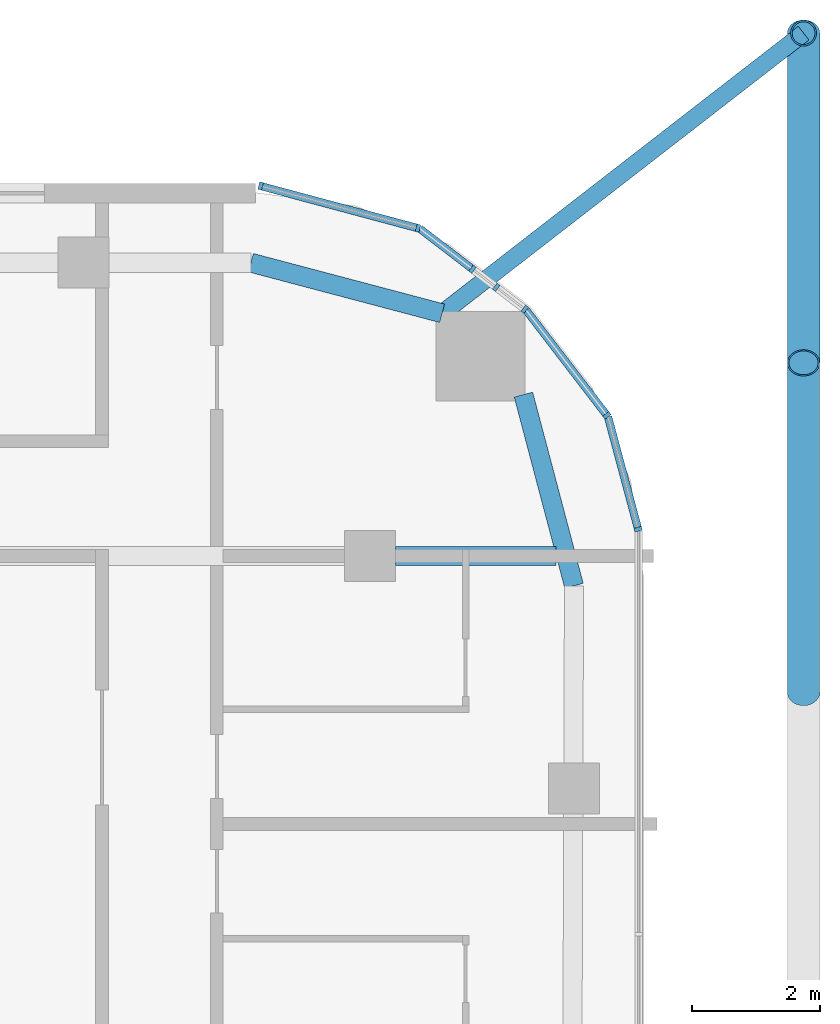
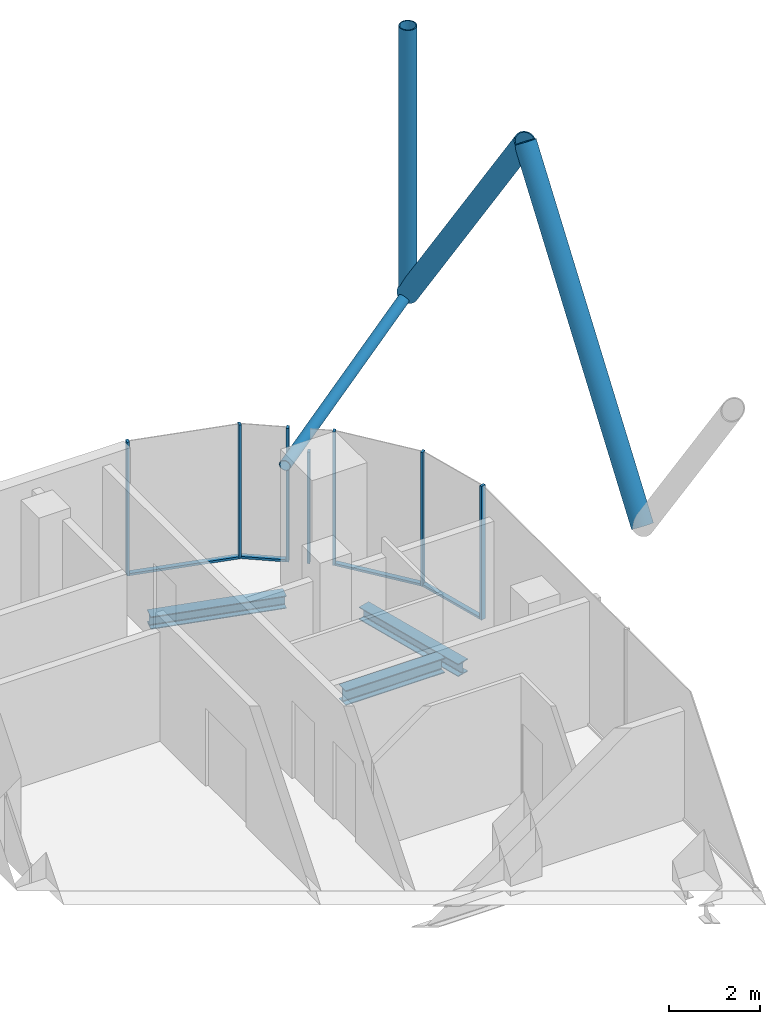
# One storey, part 11 of 28: 15 members, 3 beams, 6 elements without a shape of their own.
"""IFC4 building model written with IfcOpenShell, lengths in metres."""

import ifcopenshell
import ifcopenshell.guid

model = None  # the IFC model being written
_history = None  # IfcOwnerHistory: only IFC2X3 demands one
_inside = {}  # id of a spatial element -> (the spatial element, [elements in it])
_under = {}  # id of a project, library or spatial element -> (it, [spatial elements below it])
_declared = {}  # id of a project -> (the project, [libraries it declares])
_typed = {}  # id of a type object -> (the type object, [elements of that type])
_made_of = {}  # id of a material, layer set ... -> (it, [elements and type objects made of it])


def new_model(schema):
    """Start an empty IFC model of exactly this schema.

    Asked for "IFC4X3", IfcOpenShell would pick the latest addendum, in which some entities
    have other attributes; the version numbers below select the first issue.
    IFC2X3 requires an IfcOwnerHistory on every rooted entity: one is made here for all.
    """
    global model, _history
    if schema == "IFC4X3":
        model = ifcopenshell.file(schema_version=(4, 3, 0, 0))
    else:
        model = ifcopenshell.file(schema=schema)
    _inside.clear()
    _under.clear()
    _declared.clear()
    _typed.clear()
    _made_of.clear()
    _history = None
    if model.schema == "IFC2X3":
        org = make("IfcOrganization", Name="unknown")
        user = make(
            "IfcPersonAndOrganization",
            ThePerson=make("IfcPerson", FamilyName="unknown"),
            TheOrganization=org,
        )
        app = make(
            "IfcApplication",
            ApplicationDeveloper=org,
            Version="unknown",
            ApplicationFullName="unknown",
            ApplicationIdentifier="unknown",
        )
        _history = make(
            "IfcOwnerHistory",
            OwningUser=user,
            OwningApplication=app,
            ChangeAction="ADDED",
            CreationDate=0,
        )
    return model


def make(cls, **values):
    """One entity of the class cls with the attributes given. An attribute that is None is left unset."""
    return model.create_entity(
        cls, **{name: value for name, value in values.items() if value is not None}
    )


def rooted(cls, **values):
    """An entity with a GlobalId (a new one), such as an element, a storey or a relation."""
    return make(cls, GlobalId=ifcopenshell.guid.new(), OwnerHistory=_history, **values)


def si_unit(unit_type, name, prefix=None):
    """IfcSIUnit, for example si_unit("LENGTHUNIT", "METRE", prefix="MILLI")."""
    return make("IfcSIUnit", UnitType=unit_type, Prefix=prefix, Name=name)


def assignment(units):
    """IfcUnitAssignment: the units of a project."""
    return None if units is None else make("IfcUnitAssignment", Units=units)


def point(xyz):
    """IfcCartesianPoint."""
    return None if xyz is None else make("IfcCartesianPoint", Coordinates=xyz)


def direction(xyz):
    """IfcDirection."""
    return None if xyz is None else make("IfcDirection", DirectionRatios=xyz)


def frame(location, z_axis=None, x_axis=None):
    """IfcAxis2Placement3D, a coordinate frame: its origin and axes. An axis left out is left unset."""
    return make(
        "IfcAxis2Placement3D",
        Location=point(location),
        Axis=direction(z_axis),
        RefDirection=direction(x_axis),
    )


def frame_2d(location, x_axis=None):
    """IfcAxis2Placement2D, a coordinate frame in the plane: its origin and x axis."""
    return make(
        "IfcAxis2Placement2D", Location=point(location), RefDirection=direction(x_axis)
    )


def origin():
    """The frame at (0, 0, 0) with its axes left unset."""
    return frame((0.0, 0.0, 0.0))


def origin_2d():
    """The frame at (0, 0) in the plane with its x axis left unset."""
    return frame_2d((0.0, 0.0))


def place(relative_to, where):
    """IfcLocalPlacement: puts the frame where relative to a parent placement (None: the world)."""
    return make(
        "IfcLocalPlacement", PlacementRelTo=relative_to, RelativePlacement=where
    )


def context(
    kind, dimensions, precision=None, world=None, true_north=None, identifier=None
):
    """IfcGeometricRepresentationContext, for example the 3D "Model" context."""
    return make(
        "IfcGeometricRepresentationContext",
        ContextIdentifier=identifier,
        ContextType=kind,
        CoordinateSpaceDimension=dimensions,
        Precision=precision,
        WorldCoordinateSystem=world,
        TrueNorth=true_north,
    )


def subcontext(parent, identifier, kind, view, scale=None):
    """IfcGeometricRepresentationSubContext, for example "Body" below "Model"."""
    return make(
        "IfcGeometricRepresentationSubContext",
        ContextIdentifier=identifier,
        ContextType=kind,
        ParentContext=parent,
        TargetScale=scale,
        TargetView=view,
    )


def project(units=None, contexts=None):
    """IfcProject with its units and contexts."""
    return rooted(
        "IfcProject",
        Name="project",
        RepresentationContexts=contexts,
        UnitsInContext=assignment(units),
    )


def spatial(cls, under=None, at=None, **own):
    """A site, building, storey or space (cls), placed at a placement, below another one or the project."""
    s = rooted(cls, ObjectPlacement=at, **own)
    if under is not None:
        _under.setdefault(under.id(), (under, []))[1].append(s)
    return s


def profile(cls, at=None, kind="AREA", **sizes):
    """A parametric profile (cls). Its sizes go by their IFC names, for example OverallWidth=200.0."""
    return make(cls, ProfileType=kind, Position=at, **sizes)


def rectangle(**sizes):
    """IfcRectangleProfileDef."""
    return profile("IfcRectangleProfileDef", **sizes)


def hollow_circle(**sizes):
    """IfcCircleHollowProfileDef."""
    return profile("IfcCircleHollowProfileDef", **sizes)


def i_section(**sizes):
    """IfcIShapeProfileDef."""
    return profile("IfcIShapeProfileDef", **sizes)


def extrude(swept, where, along, depth):
    """IfcExtrudedAreaSolid: the profile swept, set in the frame where, extruded along a direction by depth."""
    return make(
        "IfcExtrudedAreaSolid",
        SweptArea=swept,
        Position=where,
        ExtrudedDirection=direction(along),
        Depth=depth,
    )


def shape(context_of_items, identifier, shape_type, items):
    """IfcShapeRepresentation: the items that make up one representation, for example the "Body"."""
    return make(
        "IfcShapeRepresentation",
        ContextOfItems=context_of_items,
        RepresentationIdentifier=identifier,
        RepresentationType=shape_type,
        Items=items,
    )


def material(Name=None, Category=None):
    """IfcMaterial."""
    return make("IfcMaterial", Name=Name, Category=Category)


def layer(
    of_material, thickness, ventilated=None, Name=None, Category=None, Priority=None
):
    """IfcMaterialLayer: one layer of a wall or slab, of a material (None: an air gap)."""
    return make(
        "IfcMaterialLayer",
        Material=of_material,
        LayerThickness=thickness,
        IsVentilated=ventilated,
        Name=Name,
        Category=Category,
        Priority=Priority,
    )


def layer_set(layers, Name=None):
    """IfcMaterialLayerSet."""
    return make("IfcMaterialLayerSet", MaterialLayers=layers, LayerSetName=Name)


def material_profile(
    of_material, cross_section, Name=None, Category=None, Priority=None
):
    """IfcMaterialProfile: a cross section and its material."""
    return make(
        "IfcMaterialProfile",
        Name=Name,
        Material=of_material,
        Profile=cross_section,
        Priority=Priority,
        Category=Category,
    )


def profile_set(profiles, Name=None, composite=None):
    """IfcMaterialProfileSet."""
    return make(
        "IfcMaterialProfileSet",
        Name=Name,
        MaterialProfiles=profiles,
        CompositeProfile=composite,
    )


def made_of(thing, what):
    """Note that an element or type object is made of a material, layer set ...; save() writes the relation."""
    if what is not None:
        _made_of.setdefault(what.id(), (what, []))[1].append(thing)
    return thing


def type_object(cls, material=None, **own):
    """A type object (cls), such as IfcWallType, which elements share."""
    return made_of(rooted(cls, **own), material)


def element(
    cls,
    number,
    at=None,
    inside=None,
    cuts=None,
    type_object=None,
    material=None,
    context=None,
    identifier="Body",
    shape_type=None,
    held_by="IfcProductDefinitionShape",
    body=None,
    shapes=None,
    **own,
):
    """One element of the class cls, such as IfcWall. Its Tag is "e" and its number.

    at: its placement. inside: the storey or other place that contains it. cuts: it is an
    opening in that element (IfcRelVoidsElement). A single representation is given by context,
    identifier, shape_type and body (its items); several are given by shapes. held_by: the class
    of the entity that holds the representations. save() writes the other relations.
    """
    e = rooted(cls, Tag="e%d" % number, ObjectPlacement=at, **own)
    if body is not None:
        shapes = [shape(context, identifier, shape_type, body)]
    if shapes is not None:
        e.Representation = make(held_by, Representations=shapes)
    if inside is not None:
        _inside.setdefault(inside.id(), (inside, []))[1].append(e)
    if cuts is not None:
        rooted(
            "IfcRelVoidsElement", RelatingBuildingElement=cuts, RelatedOpeningElement=e
        )
    if type_object is not None:
        _typed.setdefault(type_object.id(), (type_object, []))[1].append(e)
    return made_of(e, material)


def aggregate(whole, parts):
    """IfcRelAggregates: a whole, such as a stair, and the parts it consists of."""
    return rooted("IfcRelAggregates", RelatingObject=whole, RelatedObjects=parts)


def save(model, path):
    """Write the relations noted so far, then the file.

    IfcRelAggregates (storeys below a building ...), IfcRelContainedInSpatialStructure (elements
    in a storey), IfcRelDefinesByType, IfcRelAssociatesMaterial and IfcRelDeclares: one each for
    every whole, place, type object, material and project.
    """
    for whole, parts in _under.values():
        aggregate(whole, parts)
    for where, things in _inside.values():
        rooted(
            "IfcRelContainedInSpatialStructure",
            RelatedElements=things,
            RelatingStructure=where,
        )
    for kind, things in _typed.values():
        rooted("IfcRelDefinesByType", RelatedObjects=things, RelatingType=kind)
    for what, things in _made_of.values():
        rooted("IfcRelAssociatesMaterial", RelatedObjects=things, RelatingMaterial=what)
    for by, libraries in _declared.values():
        rooted("IfcRelDeclares", RelatingContext=by, RelatedDefinitions=libraries)
    model.write(path)


model = new_model("IFC4")

# Units and contexts
model_context = context("Model", 3, precision=1e-05, world=origin(), true_north=direction((0.0, 1.0)))
body_context = subcontext(model_context, "Body", "Model", "MODEL_VIEW")
ifc_project = project(units=[si_unit("LENGTHUNIT", "METRE"), si_unit("AREAUNIT", "SQUARE_METRE"), si_unit("VOLUMEUNIT", "CUBIC_METRE"), si_unit("PLANEANGLEUNIT", "RADIAN"), si_unit("MASSUNIT", "GRAM", prefix="KILO")], contexts=[model_context])

# Site, building, storey
site_placement = place(None, origin())
site = spatial("IfcSite", under=ifc_project, at=site_placement, CompositionType="ELEMENT")
building_placement = place(site_placement, origin())
building = spatial("IfcBuilding", under=site, at=building_placement, Name="Marenta Gate Hotel Tower", CompositionType="ELEMENT")
storey_placement = place(building_placement, frame((0.0, 0.0, 198.5)))
storey = spatial("IfcBuildingStorey", under=building, at=storey_placement, Name="L45", CompositionType="ELEMENT", Elevation=198.5)

# Members
ifc_material_1 = material(Name="Steel S355J2W", Category="steel")
ifc_material_profile_1 = material_profile(ifc_material_1, hollow_circle(Radius=0.203125, WallThickness=0.02490234375, at=origin_2d()), Name="CHS 406.4x25")
ifc_profile_set_1 = profile_set([ifc_material_profile_1], Name="Steel S355J2W")
member_type_1 = type_object("IfcMemberType", Name="Diagrid corner post Z3 CHS 406.4x25", PredefinedType="POST", material=ifc_profile_set_1)
member_1_placement = place(storey_placement, frame((27.800048828125, 25.0, 3.139892578125), z_axis=(0.0, 0.0, 1.0), x_axis=(1.0, 0.0, 0.0)))
element("IfcMember", 1, at=member_1_placement, inside=storey, type_object=member_type_1, Name="L45-DR-1", PredefinedType="POST", context=body_context, shape_type="SweptSolid", body=[
    extrude(hollow_circle(Radius=0.203125, WallThickness=0.02490234375, at=origin_2d()), origin(), (0.0, 0.0, 1.0), 7.2001953125),
])
ifc_material_2 = material(Name="Steel S355J2W", Category="steel")
ifc_material_profile_2 = material_profile(ifc_material_2, hollow_circle(Radius=0.25390625, WallThickness=0.02490234375, at=origin_2d()), Name="CHS 508x25")
ifc_profile_set_2 = profile_set([ifc_material_profile_2], Name="Steel S355J2W")
member_type_2 = type_object("IfcMemberType", Name="Diagrid diagonal Z3 CHS 508x25", PredefinedType="BRACE", material=ifc_profile_set_2)
member_2_placement = place(storey_placement, frame((27.800048828125, 25.0, 3.139892578125), z_axis=(0.0, -0.583247791947, 0.812294289767), x_axis=(1.0, 0.0, 0.0)))
element("IfcMember", 2, at=member_2_placement, inside=storey, type_object=member_type_2, Name="L45-DG-1", PredefinedType="BRACE", context=body_context, shape_type="SweptSolid", body=[
    extrude(hollow_circle(Radius=0.25390625, WallThickness=0.02490234375, at=origin_2d()), origin(), (0.0, 0.0, 1.0), 8.864013671875),
])
member_3_placement = place(storey_placement, frame((27.800048828125, 14.659912109375, 3.139892578125), z_axis=(0.0, 0.583265964901, 0.81228124082), x_axis=(-1.0, 0.0, 0.0)))
element("IfcMember", 3, at=member_3_placement, inside=storey, type_object=member_type_2, Name="L45-DG-2", PredefinedType="BRACE", context=body_context, shape_type="SweptSolid", body=[
    extrude(hollow_circle(Radius=0.25390625, WallThickness=0.02490234375, at=origin_2d()), origin(), (0.0, 0.0, 1.0), 8.8642578125),
])

# Beams
ifc_material_3 = material(Name="Steel S355", Category="steel")
ifc_material_profile_3 = material_profile(ifc_material_3, i_section(OverallWidth=0.300048828125, OverallDepth=0.340087890625, WebThickness=0.011962890625, FlangeThickness=0.021484375, FilletRadius=0.027099609375, at=origin_2d()), Name="HEB 340")
ifc_profile_set_3 = profile_set([ifc_material_profile_3], Name="Steel S355")
beam_type_1 = type_object("IfcBeamType", Name="Edge beam HEB 340", PredefinedType="SPANDREL", material=ifc_profile_set_3)
beam_1_placement = place(storey_placement, frame((19.134521484375, 21.39990234375, -0.429931640625), z_axis=(0.9667647815, -0.25566747398, 0.0), x_axis=(0.25566747398, 0.9667647815, 0.0)))
element("IfcBeam", 4, at=beam_1_placement, inside=storey, type_object=beam_type_1, Name="L45-EB-20", PredefinedType="SPANDREL", context=body_context, shape_type="SweptSolid", body=[
    extrude(i_section(OverallWidth=0.300048828125, OverallDepth=0.340087890625, WebThickness=0.011962890625, FlangeThickness=0.021484375, FilletRadius=0.027099609375, at=origin_2d()), origin(), (0.0, 0.0, 1.0), 3.1005859375),
])
beam_2_placement = place(storey_placement, frame((23.4072265625, 19.332275390625, -0.429931640625), z_axis=(0.255648013319, -0.966769927794, 0.0), x_axis=(0.966769927794, 0.255648013319, 0.0)))
element("IfcBeam", 5, at=beam_2_placement, inside=storey, type_object=beam_type_1, Name="L45-EB-21", PredefinedType="SPANDREL", context=body_context, shape_type="SweptSolid", body=[
    extrude(i_section(OverallWidth=0.300048828125, OverallDepth=0.340087890625, WebThickness=0.011962890625, FlangeThickness=0.021484375, FilletRadius=0.027099609375, at=origin_2d()), origin(), (0.0, 0.0, 1.0), 3.100830078125),
])

# Member
ifc_material_4 = material(Name="Steel S355J2W", Category="steel")
ifc_material_profile_4 = material_profile(ifc_material_4, hollow_circle(Radius=0.136474609375, WallThickness=0.012451171875, at=origin_2d()), Name="CHS 273x12.5")
ifc_profile_set_4 = profile_set([ifc_material_profile_4], Name="Steel S355J2W")
member_type_3 = type_object("IfcMemberType", Name="Floor tie CHS 273x12.5", PredefinedType="STRUT", material=ifc_profile_set_4)
member_4_placement = place(storey_placement, frame((27.800048828125, 25.0, 3.139892578125), z_axis=(-0.790398962363, -0.61259242592, 0.0), x_axis=(0.61259242592, -0.790398962363, 0.0)))
element("IfcMember", 6, at=member_4_placement, inside=storey, type_object=member_type_3, Name="L45-DR-7", PredefinedType="STRUT", context=body_context, shape_type="SweptSolid", body=[
    extrude(hollow_circle(Radius=0.136474609375, WallThickness=0.012451171875, at=origin_2d()), origin(), (0.0, 0.0, 1.0), 7.163330078125),
])

# Beam
ifc_material_5 = material(Name="Steel S355", Category="steel")
ifc_material_profile_5 = material_profile(ifc_material_5, i_section(OverallWidth=0.300048828125, OverallDepth=0.39990234375, WebThickness=0.013427734375, FlangeThickness=0.02392578125, FilletRadius=0.027099609375, at=origin_2d()), Name="HEB 400")
ifc_profile_set_5 = profile_set([ifc_material_profile_5], Name="Steel S355")
beam_type_2 = type_object("IfcBeamType", Name="Girder HEB 400", PredefinedType="BEAM", material=ifc_profile_set_5)
beam_3_placement = place(storey_placement, frame((21.39990234375, 16.800048828125, -0.4599609375), z_axis=(1.0, 0.0, 0.0), x_axis=(0.0, 1.0, 0.0)))
element("IfcBeam", 7, at=beam_3_placement, inside=storey, type_object=beam_type_2, Name="L45-GD-33", PredefinedType="BEAM", context=body_context, shape_type="SweptSolid", body=[
    extrude(i_section(OverallWidth=0.300048828125, OverallDepth=0.39990234375, WebThickness=0.013427734375, FlangeThickness=0.02392578125, FilletRadius=0.027099609375, at=origin_2d()), origin(), (0.0, 0.0, 1.0), 2.521728515625),
])

# Curtain wall, member
ifc_material_6 = material(Name="Tinted insulated glass in bronze anodised frame", Category="glass")
ifc_layer = layer(ifc_material_6, 0.1201171875)
ifc_layer_set = layer_set([ifc_layer], Name="Tinted insulated glass in bronze anodised frame")
curtain_wall_type = type_object("IfcCurtainWallType", Name="Tower unitised curtain wall CW1", PredefinedType="NOTDEFINED", material=ifc_layer_set)
curtain_wall_1_placement = place(storey_placement, origin())
curtain_wall_1 = element("IfcCurtainWall", 8, at=curtain_wall_1_placement, inside=storey, type_object=curtain_wall_type, Name="CW1 run G20", PredefinedType="NOTDEFINED")
ifc_material_7 = material(Name="Bronze anodised aluminium", Category="aluminium")
ifc_material_profile_6 = material_profile(ifc_material_7, rectangle(XDim=0.1201171875, YDim=0.06005859375, at=origin_2d()), Name="Mullion CW1 60x120 bronze anodised aluminium")
ifc_profile_set_6 = profile_set([ifc_material_profile_6], Name="Bronze anodised aluminium")
member_type_4 = type_object("IfcMemberType", Name="Mullion CW1 60x120 bronze anodised aluminium", PredefinedType="MULLION", material=ifc_profile_set_6)
member_5_placement = place(storey_placement, frame((25.206298828125, 17.220947265625, 0.0), z_axis=(0.0, 0.0, 1.0), x_axis=(-0.965924453932, -0.258824166754, 0.0)))
member_5 = element("IfcMember", 9, at=member_5_placement, type_object=member_type_4, Name="CW1 mullion 1", PredefinedType="MULLION", context=body_context, shape_type="SweptSolid", body=[
    extrude(rectangle(XDim=0.1201171875, YDim=0.06005859375, at=origin_2d()), origin(), (0.0, 0.0, 1.0), 3.60009765625),
])

curtain_wall_2_placement = place(storey_placement, origin())
curtain_wall_2 = element("IfcCurtainWall", 10, at=curtain_wall_2_placement, inside=storey, type_object=curtain_wall_type, Name="CW1 run G21", PredefinedType="NOTDEFINED")
member_6_placement = place(storey_placement, frame((24.7158203125, 19.00634765625, 0.0), z_axis=(0.0, 0.0, 1.0), x_axis=(-0.793333335233, -0.608787499222, 0.0)))
member_6 = element("IfcMember", 11, at=member_6_placement, type_object=member_type_4, Name="CW1 mullion 1", PredefinedType="MULLION", context=body_context, shape_type="SweptSolid", body=[
    extrude(rectangle(XDim=0.1201171875, YDim=0.06005859375, at=origin_2d()), origin(), (0.0, 0.0, 1.0), 3.60009765625),
])

curtain_wall_3_placement = place(storey_placement, origin())
curtain_wall_3 = element("IfcCurtainWall", 12, at=curtain_wall_3_placement, inside=storey, type_object=curtain_wall_type, Name="CW1 run G22", PredefinedType="NOTDEFINED")
member_7_placement = place(storey_placement, frame((23.4287109375, 20.6708984375, 0.0), z_axis=(0.0, 0.0, 1.0), x_axis=(-0.608769572677, -0.793347091368, 0.0)))
member_7 = element("IfcMember", 13, at=member_7_placement, type_object=member_type_4, Name="CW1 mullion 1", PredefinedType="MULLION", context=body_context, shape_type="SweptSolid", body=[
    extrude(rectangle(XDim=0.1201171875, YDim=0.06005859375, at=origin_2d()), origin(), (0.0, 0.0, 1.0), 3.60009765625),
])
aggregate(curtain_wall_3, [member_7])

curtain_wall_4_placement = place(storey_placement, origin())
curtain_wall_4 = element("IfcCurtainWall", 14, at=curtain_wall_4_placement, inside=storey, type_object=curtain_wall_type, Name="CW1 run G23", PredefinedType="NOTDEFINED")
member_8_placement = place(storey_placement, frame((22.98046875, 21.014892578125, 0.0), z_axis=(0.0, 0.0, 1.0), x_axis=(-0.608843780404, -0.793290143052, 0.0)))
member_8 = element("IfcMember", 15, at=member_8_placement, type_object=member_type_4, Name="CW1 mullion 1", PredefinedType="MULLION", context=body_context, shape_type="SweptSolid", body=[
    extrude(rectangle(XDim=0.1201171875, YDim=0.06005859375, at=origin_2d()), origin(), (0.0, 0.0, 1.0), 3.00048828125),
])
aggregate(curtain_wall_4, [member_8])

curtain_wall_5_placement = place(storey_placement, origin())
curtain_wall_5 = element("IfcCurtainWall", 16, at=curtain_wall_5_placement, inside=storey, type_object=curtain_wall_type, Name="CW1 run G24", PredefinedType="NOTDEFINED")
member_9_placement = place(storey_placement, frame((22.60888671875, 21.300048828125, 0.0), z_axis=(0.0, 0.0, 1.0), x_axis=(-0.60877235005, -0.793344960162, 0.0)))
member_9 = element("IfcMember", 17, at=member_9_placement, type_object=member_type_4, Name="CW1 mullion 1", PredefinedType="MULLION", context=body_context, shape_type="SweptSolid", body=[
    extrude(rectangle(XDim=0.1201171875, YDim=0.06005859375, at=origin_2d()), origin(), (0.0, 0.0, 1.0), 3.60009765625),
])

# Curtain wall, members
curtain_wall_6_placement = place(storey_placement, origin())
curtain_wall_6 = element("IfcCurtainWall", 18, at=curtain_wall_6_placement, inside=storey, type_object=curtain_wall_type, Name="CW1 run G25", PredefinedType="NOTDEFINED")
member_10_placement = place(storey_placement, frame((21.75341796875, 21.94189453125, 0.0), z_axis=(0.0, 0.0, 1.0), x_axis=(-0.258804895175, -0.96592961764, 0.0)))
member_10 = element("IfcMember", 19, at=member_10_placement, type_object=member_type_4, Name="CW1 mullion 1", PredefinedType="MULLION", context=body_context, shape_type="SweptSolid", body=[
    extrude(rectangle(XDim=0.1201171875, YDim=0.06005859375, at=origin_2d()), origin(), (0.0, 0.0, 1.0), 3.60009765625),
])
member_11_placement = place(storey_placement, frame((19.285400390625, 22.603271484375, 0.0), z_axis=(0.0, 0.0, 1.0), x_axis=(-0.258804895175, -0.96592961764, 0.0)))
member_11 = element("IfcMember", 20, at=member_11_placement, type_object=member_type_4, Name="CW1 mullion 2", PredefinedType="MULLION", context=body_context, shape_type="SweptSolid", body=[
    extrude(rectangle(XDim=0.1201171875, YDim=0.06005859375, at=origin_2d()), origin(), (0.0, 0.0, 1.0), 3.60009765625),
])

# Member
ifc_material_8 = material(Name="Bronze anodised aluminium", Category="aluminium")
ifc_material_profile_7 = material_profile(ifc_material_8, rectangle(XDim=0.1201171875, YDim=0.06005859375, at=origin_2d()), Name="Transom CW1 60x120 bronze anodised aluminium")
ifc_profile_set_7 = profile_set([ifc_material_profile_7], Name="Bronze anodised aluminium")
member_type_5 = type_object("IfcMemberType", Name="Transom CW1 60x120 bronze anodised aluminium", PredefinedType="USERDEFINED", material=ifc_profile_set_7)
member_12_placement = place(storey_placement, frame((25.198486328125, 17.249755859375, 0.030029296875), z_axis=(-0.258865341007, 0.96591342015, 0.0), x_axis=(-0.96591342015, -0.258865341007, 0.0)))
member_12 = element("IfcMember", 21, at=member_12_placement, type_object=member_type_5, Name="CW1 transom 1.1", ObjectType="TRANSOM", PredefinedType="USERDEFINED", context=body_context, shape_type="SweptSolid", body=[
    extrude(rectangle(XDim=0.1201171875, YDim=0.06005859375, at=origin_2d()), origin(), (0.0, 0.0, 1.0), 1.793701171875),
])

aggregate(curtain_wall_1, [member_5, member_12])

member_13_placement = place(storey_placement, frame((24.69775390625, 19.030029296875, 0.030029296875), z_axis=(-0.608787337271, 0.79333345951, 0.0), x_axis=(-0.79333345951, -0.608787337271, 0.0)))
member_13 = element("IfcMember", 22, at=member_13_placement, type_object=member_type_5, Name="CW1 transom 1.1", ObjectType="TRANSOM", PredefinedType="USERDEFINED", context=body_context, shape_type="SweptSolid", body=[
    extrude(rectangle(XDim=0.1201171875, YDim=0.06005859375, at=origin_2d()), origin(), (0.0, 0.0, 1.0), 2.045166015625),
])

aggregate(curtain_wall_2, [member_6, member_13])

member_14_placement = place(storey_placement, frame((22.585205078125, 21.318359375, 0.030029296875), z_axis=(-0.793466512091, 0.608613912255, 0.0), x_axis=(-0.608613912255, -0.793466512091, 0.0)))
member_14 = element("IfcMember", 23, at=member_14_placement, type_object=member_type_5, Name="CW1 transom 1.1", ObjectType="TRANSOM", PredefinedType="USERDEFINED", context=body_context, shape_type="SweptSolid", body=[
    extrude(rectangle(XDim=0.1201171875, YDim=0.06005859375, at=origin_2d()), origin(), (0.0, 0.0, 1.0), 1.01171875),
])

aggregate(curtain_wall_5, [member_9, member_14])

member_15_placement = place(storey_placement, frame((21.724609375, 21.94970703125, 0.030029296875), z_axis=(-0.965930582093, 0.258801295547, 0.0), x_axis=(-0.258801295547, -0.965930582093, 0.0)))
member_15 = element("IfcMember", 24, at=member_15_placement, type_object=member_type_5, Name="CW1 transom 1.1", ObjectType="TRANSOM", PredefinedType="USERDEFINED", context=body_context, shape_type="SweptSolid", body=[
    extrude(rectangle(XDim=0.1201171875, YDim=0.06005859375, at=origin_2d()), origin(), (0.0, 0.0, 1.0), 2.4951171875),
])

aggregate(curtain_wall_6, [member_10, member_11, member_15])

save(model, "model.ifc")
